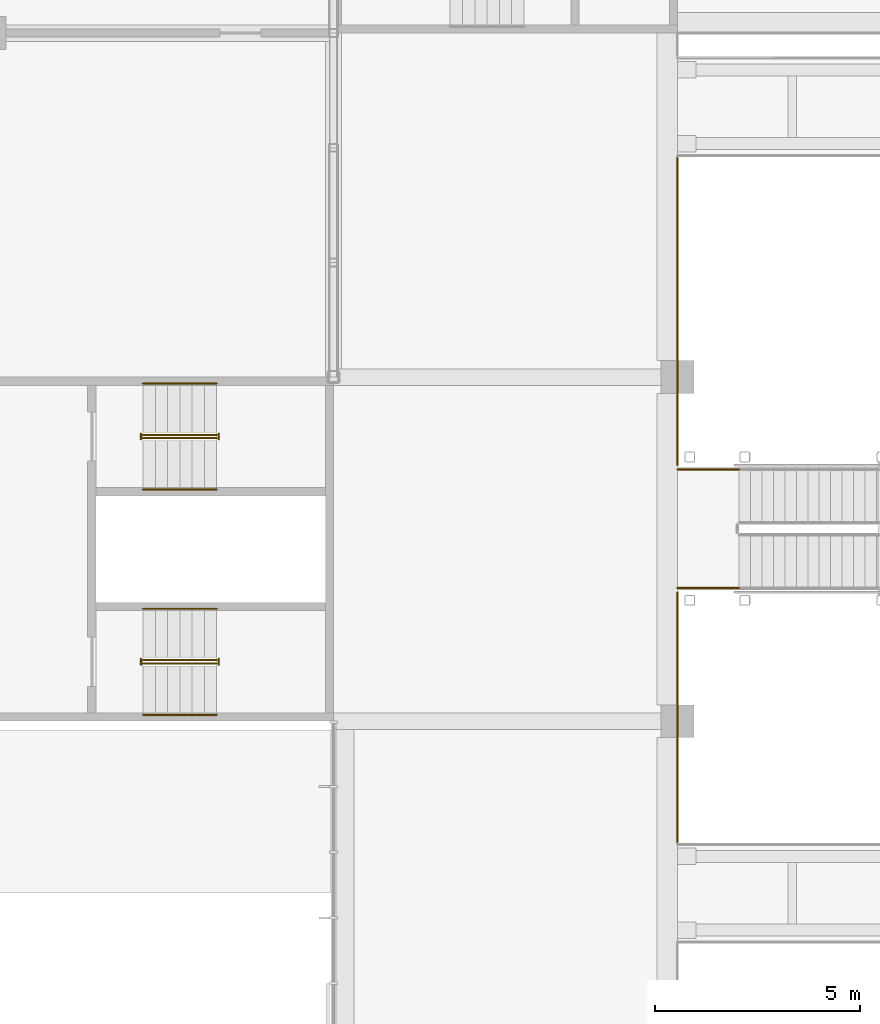
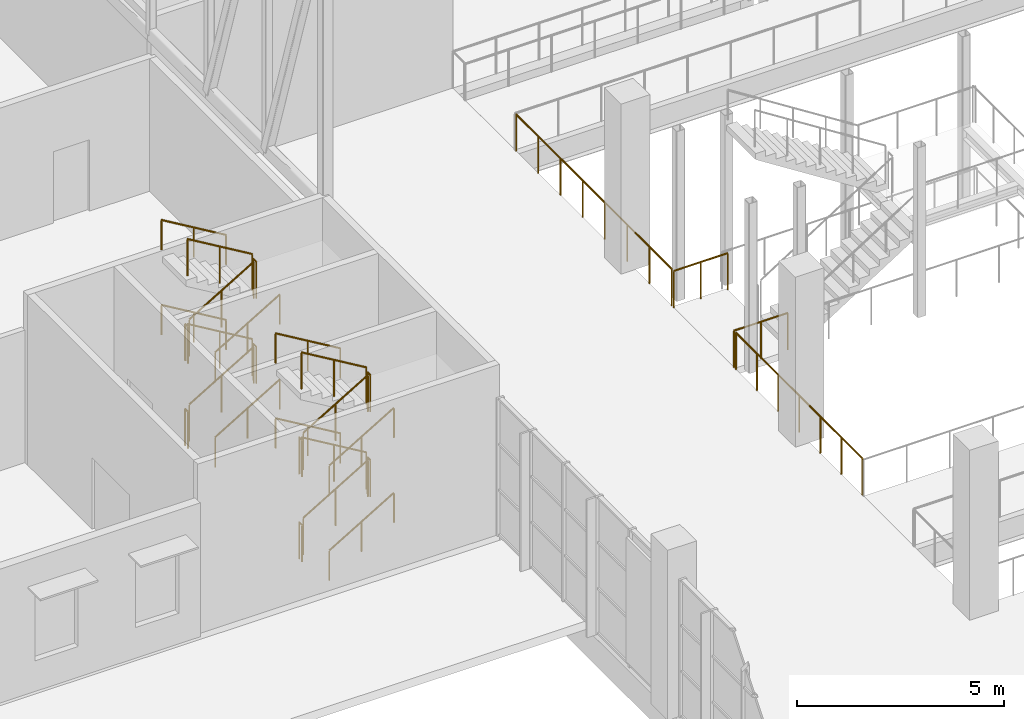
# One storey, part 85 of 101: 28 railings.
"""IFC4 building model written with IfcOpenShell, lengths in metres."""

from ifc_helpers import new_model, si_unit, direction, frame, origin, origin_2d, place, context, subcontext, project, spatial, circle, extrude, material, type_object, element, save


model = new_model("IFC4")

# Units and contexts
model_context = context("Model", 3, precision=1e-05, world=origin(), true_north=direction((0.0, 1.0)))
body_context = subcontext(model_context, "Body", "Model", "MODEL_VIEW")
ifc_project = project(units=[si_unit("LENGTHUNIT", "METRE"), si_unit("AREAUNIT", "SQUARE_METRE"), si_unit("VOLUMEUNIT", "CUBIC_METRE"), si_unit("PLANEANGLEUNIT", "RADIAN"), si_unit("MASSUNIT", "GRAM", prefix="KILO")], contexts=[model_context])

# Site, building, storey
site_placement = place(None, origin())
site = spatial("IfcSite", under=ifc_project, at=site_placement, CompositionType="ELEMENT")
building_placement = place(site_placement, origin())
building = spatial("IfcBuilding", under=site, at=building_placement, Name="Almond Square Museum", CompositionType="ELEMENT")
storey_placement = place(building_placement, frame((0.0, 0.0, 5.5)))
storey = spatial("IfcBuildingStorey", under=building, at=storey_placement, Name="L01", CompositionType="ELEMENT", Elevation=5.5)

# Railings
ifc_material_1 = material(Name="Laminated glass and stainless steel", Category="steel")
railing_type_1 = type_object("IfcRailingType", Name="Atrium guard 1100 glass balustrade", PredefinedType="GUARDRAIL", material=ifc_material_1)
railing_1_placement = place(storey_placement, frame((81.60009765625, 81.050048828125, 0.0)))
element("IfcRailing", 1, at=railing_1_placement, inside=storey, type_object=railing_type_1, Name="L01 atrium guard 2", PredefinedType="GUARDRAIL", context=body_context, shape_type="SweptSolid", body=[
    extrude(circle(Radius=0.02392578125, at=origin_2d()), frame((0.0, 0.0, 1.076171875), z_axis=(0.0, 1.0, 0.0), x_axis=(-1.0, 0.0, 0.0)), (0.0, 0.0, 1.0), 6.099853515625),
    extrude(circle(Radius=0.02099609375, at=origin_2d()), origin(), (0.0, 0.0, 1.0), 1.052001953125),
    extrude(circle(Radius=0.02099609375, at=origin_2d()), frame((0.0, 1.0166015625, 0.0)), (0.0, 0.0, 1.0), 1.052001953125),
    extrude(circle(Radius=0.02099609375, at=origin_2d()), frame((0.0, 2.033203125, 0.0)), (0.0, 0.0, 1.0), 1.052001953125),
    extrude(circle(Radius=0.02099609375, at=origin_2d()), frame((0.0, 3.0498046875, 0.0)), (0.0, 0.0, 1.0), 1.052001953125),
    extrude(circle(Radius=0.02099609375, at=origin_2d()), frame((0.0, 4.066650390625, 0.0)), (0.0, 0.0, 1.0), 1.052001953125),
    extrude(circle(Radius=0.02099609375, at=origin_2d()), frame((0.0, 5.083251953125, 0.0)), (0.0, 0.0, 1.0), 1.052001953125),
    extrude(circle(Radius=0.02099609375, at=origin_2d()), frame((0.0, 6.099853515625, 0.0)), (0.0, 0.0, 1.0), 1.052001953125),
])
railing_2_placement = place(storey_placement, frame((81.60009765625, 90.25, 0.0)))
element("IfcRailing", 2, at=railing_2_placement, inside=storey, type_object=railing_type_1, Name="L01 atrium guard 3", PredefinedType="GUARDRAIL", context=body_context, shape_type="SweptSolid", body=[
    extrude(circle(Radius=0.02392578125, at=origin_2d()), frame((0.0, 0.0, 1.076171875), z_axis=(0.0, 1.0, 0.0), x_axis=(-1.0, 0.0, 0.0)), (0.0, 0.0, 1.0), 7.5),
    extrude(circle(Radius=0.02099609375, at=origin_2d()), origin(), (0.0, 0.0, 1.0), 1.052001953125),
    extrude(circle(Radius=0.02099609375, at=origin_2d()), frame((0.0, 1.071533203125, 0.0)), (0.0, 0.0, 1.0), 1.052001953125),
    extrude(circle(Radius=0.02099609375, at=origin_2d()), frame((0.0, 2.142822265625, 0.0)), (0.0, 0.0, 1.0), 1.052001953125),
    extrude(circle(Radius=0.02099609375, at=origin_2d()), frame((0.0, 3.21435546875, 0.0)), (0.0, 0.0, 1.0), 1.052001953125),
    extrude(circle(Radius=0.02099609375, at=origin_2d()), frame((0.0, 4.28564453125, 0.0)), (0.0, 0.0, 1.0), 1.052001953125),
    extrude(circle(Radius=0.02099609375, at=origin_2d()), frame((0.0, 5.357177734375, 0.0)), (0.0, 0.0, 1.0), 1.052001953125),
    extrude(circle(Radius=0.02099609375, at=origin_2d()), frame((0.0, 6.428466796875, 0.0)), (0.0, 0.0, 1.0), 1.052001953125),
    extrude(circle(Radius=0.02099609375, at=origin_2d()), frame((0.0, 7.5, 0.0)), (0.0, 0.0, 1.0), 1.052001953125),
])
ifc_material_2 = material(Name="Stainless steel and laminated glass", Category="steel")
railing_type_2 = type_object("IfcRailingType", Name="Stair guard 1100 steel and glass", PredefinedType="GUARDRAIL", material=ifc_material_2)
railing_3_placement = place(storey_placement, frame((68.550048828125, 85.409912109375, 0.178466796875)))
element("IfcRailing", 3, at=railing_3_placement, inside=storey, type_object=railing_type_2, Name="L01 ST-19 stair guard 1", PredefinedType="GUARDRAIL", context=body_context, shape_type="SweptSolid", body=[
    extrude(circle(Radius=0.02392578125, at=origin_2d()), frame((0.0, 0.0, 1.076171875), z_axis=(0.859277029364, 0.0, 0.511510495305), x_axis=(0.0, 1.0, 0.0)), (0.0, 0.0, 1.0), 2.0947265625),
    extrude(circle(Radius=0.02099609375, at=origin_2d()), origin(), (0.0, 0.0, 1.0), 1.052001953125),
    extrude(circle(Radius=0.02099609375, at=origin_2d()), frame((0.89990234375, 0.0, 0.53564453125)), (0.0, 0.0, 1.0), 1.052001953125),
    extrude(circle(Radius=0.02099609375, at=origin_2d()), frame((1.800048828125, 0.0, 1.071533203125)), (0.0, 0.0, 1.0), 1.052001953125),
])
railing_4_placement = place(storey_placement, frame((70.39990234375, 85.3798828125, 1.25)))
element("IfcRailing", 4, at=railing_4_placement, inside=storey, type_object=railing_type_2, Name="L01 ST-19 stair guard 2", PredefinedType="GUARDRAIL", context=body_context, shape_type="SweptSolid", body=[
    extrude(circle(Radius=0.02392578125, at=origin_2d()), frame((0.0, 0.0, 1.076171875), z_axis=(0.0, 1.0, 0.0), x_axis=(-1.0, 0.0, 0.0)), (0.0, 0.0, 1.0), 0.14013671875),
    extrude(circle(Radius=0.02099609375, at=origin_2d()), origin(), (0.0, 0.0, 1.0), 1.052001953125),
    extrude(circle(Radius=0.02099609375, at=origin_2d()), frame((0.0, 0.14013671875, 0.0)), (0.0, 0.0, 1.0), 1.052001953125),
])
railing_5_placement = place(storey_placement, frame((70.35009765625, 85.489990234375, 1.428466796875)))
element("IfcRailing", 5, at=railing_5_placement, inside=storey, type_object=railing_type_2, Name="L01 ST-19 stair guard 3", PredefinedType="GUARDRAIL", context=body_context, shape_type="SweptSolid", body=[
    extrude(circle(Radius=0.02392578125, at=origin_2d()), frame((0.0, 0.0, 1.076171875), z_axis=(-0.859277029364, 0.0, 0.511510495305), x_axis=(0.0, -1.0, 0.0)), (0.0, 0.0, 1.0), 2.0947265625),
    extrude(circle(Radius=0.02099609375, at=origin_2d()), origin(), (0.0, 0.0, 1.0), 1.052001953125),
    extrude(circle(Radius=0.02099609375, at=origin_2d()), frame((-0.89990234375, 0.0, 0.53564453125)), (0.0, 0.0, 1.0), 1.052001953125),
    extrude(circle(Radius=0.02099609375, at=origin_2d()), frame((-1.800048828125, 0.0, 1.071533203125)), (0.0, 0.0, 1.0), 1.052001953125),
])
railing_6_placement = place(storey_placement, frame((68.5, 85.3798828125, 2.5)))
element("IfcRailing", 6, at=railing_6_placement, inside=storey, type_object=railing_type_2, Name="L01 ST-19 stair guard 4", PredefinedType="GUARDRAIL", context=body_context, shape_type="SweptSolid", body=[
    extrude(circle(Radius=0.02392578125, at=origin_2d()), frame((0.0, 0.0, 1.076171875), z_axis=(0.0, 1.0, 0.0), x_axis=(-1.0, 0.0, 0.0)), (0.0, 0.0, 1.0), 0.14013671875),
    extrude(circle(Radius=0.02099609375, at=origin_2d()), origin(), (0.0, 0.0, 1.0), 1.052001953125),
    extrude(circle(Radius=0.02099609375, at=origin_2d()), frame((0.0, 0.14013671875, 0.0)), (0.0, 0.0, 1.0), 1.052001953125),
])
railing_7_placement = place(storey_placement, frame((68.550048828125, 85.409912109375, 2.678466796875)))
element("IfcRailing", 7, at=railing_7_placement, inside=storey, type_object=railing_type_2, Name="L01 ST-19 stair guard 5", PredefinedType="GUARDRAIL", context=body_context, shape_type="SweptSolid", body=[
    extrude(circle(Radius=0.02392578125, at=origin_2d()), frame((0.0, 0.0, 1.076171875), z_axis=(0.859277029364, 0.0, 0.511510495305), x_axis=(0.0, 1.0, 0.0)), (0.0, 0.0, 1.0), 2.0947265625),
    extrude(circle(Radius=0.02099609375, at=origin_2d()), origin(), (0.0, 0.0, 1.0), 1.052001953125),
    extrude(circle(Radius=0.02099609375, at=origin_2d()), frame((0.89990234375, 0.0, 0.53564453125)), (0.0, 0.0, 1.0), 1.052001953125),
    extrude(circle(Radius=0.02099609375, at=origin_2d()), frame((1.800048828125, 0.0, 1.071533203125)), (0.0, 0.0, 1.0), 1.052001953125),
])
railing_8_placement = place(storey_placement, frame((70.39990234375, 85.3798828125, 3.75)))
element("IfcRailing", 8, at=railing_8_placement, inside=storey, type_object=railing_type_2, Name="L01 ST-19 stair guard 6", PredefinedType="GUARDRAIL", context=body_context, shape_type="SweptSolid", body=[
    extrude(circle(Radius=0.02392578125, at=origin_2d()), frame((0.0, 0.0, 1.076171875), z_axis=(0.0, 1.0, 0.0), x_axis=(-1.0, 0.0, 0.0)), (0.0, 0.0, 1.0), 0.14013671875),
    extrude(circle(Radius=0.02099609375, at=origin_2d()), origin(), (0.0, 0.0, 1.0), 1.052001953125),
    extrude(circle(Radius=0.02099609375, at=origin_2d()), frame((0.0, 0.14013671875, 0.0)), (0.0, 0.0, 1.0), 1.052001953125),
])
railing_9_placement = place(storey_placement, frame((70.35009765625, 85.489990234375, 3.928466796875)))
element("IfcRailing", 9, at=railing_9_placement, inside=storey, type_object=railing_type_2, Name="L01 ST-19 stair guard 7", PredefinedType="GUARDRAIL", context=body_context, shape_type="SweptSolid", body=[
    extrude(circle(Radius=0.02392578125, at=origin_2d()), frame((0.0, 0.0, 1.076171875), z_axis=(-0.859277029364, 0.0, 0.511510495305), x_axis=(0.0, -1.0, 0.0)), (0.0, 0.0, 1.0), 2.0947265625),
    extrude(circle(Radius=0.02099609375, at=origin_2d()), origin(), (0.0, 0.0, 1.0), 1.052001953125),
    extrude(circle(Radius=0.02099609375, at=origin_2d()), frame((-0.89990234375, 0.0, 0.53564453125)), (0.0, 0.0, 1.0), 1.052001953125),
    extrude(circle(Radius=0.02099609375, at=origin_2d()), frame((-1.800048828125, 0.0, 1.071533203125)), (0.0, 0.0, 1.0), 1.052001953125),
])
railing_10_placement = place(storey_placement, frame((68.5, 85.3798828125, 0.0)))
element("IfcRailing", 10, at=railing_10_placement, inside=storey, type_object=railing_type_2, Name="L01 ST-19 stair guard 8", PredefinedType="GUARDRAIL", context=body_context, shape_type="SweptSolid", body=[
    extrude(circle(Radius=0.02392578125, at=origin_2d()), frame((0.0, 0.0, 1.076171875), z_axis=(0.0, 1.0, 0.0), x_axis=(-1.0, 0.0, 0.0)), (0.0, 0.0, 1.0), 0.14013671875),
    extrude(circle(Radius=0.02099609375, at=origin_2d()), origin(), (0.0, 0.0, 1.0), 1.052001953125),
    extrude(circle(Radius=0.02099609375, at=origin_2d()), frame((0.0, 0.14013671875, 0.0)), (0.0, 0.0, 1.0), 1.052001953125),
])
railing_11_placement = place(storey_placement, frame((68.550048828125, 90.909912109375, 0.178466796875)))
element("IfcRailing", 11, at=railing_11_placement, inside=storey, type_object=railing_type_2, Name="L01 ST-20 stair guard 1", PredefinedType="GUARDRAIL", context=body_context, shape_type="SweptSolid", body=[
    extrude(circle(Radius=0.02392578125, at=origin_2d()), frame((0.0, 0.0, 1.076171875), z_axis=(0.859277029364, 0.0, 0.511510495305), x_axis=(0.0, 1.0, 0.0)), (0.0, 0.0, 1.0), 2.0947265625),
    extrude(circle(Radius=0.02099609375, at=origin_2d()), origin(), (0.0, 0.0, 1.0), 1.052001953125),
    extrude(circle(Radius=0.02099609375, at=origin_2d()), frame((0.89990234375, 0.0, 0.53564453125)), (0.0, 0.0, 1.0), 1.052001953125),
    extrude(circle(Radius=0.02099609375, at=origin_2d()), frame((1.800048828125, 0.0, 1.071533203125)), (0.0, 0.0, 1.0), 1.052001953125),
])
railing_12_placement = place(storey_placement, frame((70.39990234375, 90.8798828125, 1.25)))
element("IfcRailing", 12, at=railing_12_placement, inside=storey, type_object=railing_type_2, Name="L01 ST-20 stair guard 2", PredefinedType="GUARDRAIL", context=body_context, shape_type="SweptSolid", body=[
    extrude(circle(Radius=0.02392578125, at=origin_2d()), frame((0.0, 0.0, 1.076171875), z_axis=(0.0, 1.0, 0.0), x_axis=(-1.0, 0.0, 0.0)), (0.0, 0.0, 1.0), 0.14013671875),
    extrude(circle(Radius=0.02099609375, at=origin_2d()), origin(), (0.0, 0.0, 1.0), 1.052001953125),
    extrude(circle(Radius=0.02099609375, at=origin_2d()), frame((0.0, 0.14013671875, 0.0)), (0.0, 0.0, 1.0), 1.052001953125),
])
railing_13_placement = place(storey_placement, frame((70.35009765625, 90.989990234375, 1.428466796875)))
element("IfcRailing", 13, at=railing_13_placement, inside=storey, type_object=railing_type_2, Name="L01 ST-20 stair guard 3", PredefinedType="GUARDRAIL", context=body_context, shape_type="SweptSolid", body=[
    extrude(circle(Radius=0.02392578125, at=origin_2d()), frame((0.0, 0.0, 1.076171875), z_axis=(-0.859277029364, 0.0, 0.511510495305), x_axis=(0.0, -1.0, 0.0)), (0.0, 0.0, 1.0), 2.0947265625),
    extrude(circle(Radius=0.02099609375, at=origin_2d()), origin(), (0.0, 0.0, 1.0), 1.052001953125),
    extrude(circle(Radius=0.02099609375, at=origin_2d()), frame((-0.89990234375, 0.0, 0.53564453125)), (0.0, 0.0, 1.0), 1.052001953125),
    extrude(circle(Radius=0.02099609375, at=origin_2d()), frame((-1.800048828125, 0.0, 1.071533203125)), (0.0, 0.0, 1.0), 1.052001953125),
])
railing_14_placement = place(storey_placement, frame((68.5, 90.8798828125, 2.5)))
element("IfcRailing", 14, at=railing_14_placement, inside=storey, type_object=railing_type_2, Name="L01 ST-20 stair guard 4", PredefinedType="GUARDRAIL", context=body_context, shape_type="SweptSolid", body=[
    extrude(circle(Radius=0.02392578125, at=origin_2d()), frame((0.0, 0.0, 1.076171875), z_axis=(0.0, 1.0, 0.0), x_axis=(-1.0, 0.0, 0.0)), (0.0, 0.0, 1.0), 0.14013671875),
    extrude(circle(Radius=0.02099609375, at=origin_2d()), origin(), (0.0, 0.0, 1.0), 1.052001953125),
    extrude(circle(Radius=0.02099609375, at=origin_2d()), frame((0.0, 0.14013671875, 0.0)), (0.0, 0.0, 1.0), 1.052001953125),
])
railing_15_placement = place(storey_placement, frame((68.550048828125, 90.909912109375, 2.678466796875)))
element("IfcRailing", 15, at=railing_15_placement, inside=storey, type_object=railing_type_2, Name="L01 ST-20 stair guard 5", PredefinedType="GUARDRAIL", context=body_context, shape_type="SweptSolid", body=[
    extrude(circle(Radius=0.02392578125, at=origin_2d()), frame((0.0, 0.0, 1.076171875), z_axis=(0.859277029364, 0.0, 0.511510495305), x_axis=(0.0, 1.0, 0.0)), (0.0, 0.0, 1.0), 2.0947265625),
    extrude(circle(Radius=0.02099609375, at=origin_2d()), origin(), (0.0, 0.0, 1.0), 1.052001953125),
    extrude(circle(Radius=0.02099609375, at=origin_2d()), frame((0.89990234375, 0.0, 0.53564453125)), (0.0, 0.0, 1.0), 1.052001953125),
    extrude(circle(Radius=0.02099609375, at=origin_2d()), frame((1.800048828125, 0.0, 1.071533203125)), (0.0, 0.0, 1.0), 1.052001953125),
])
railing_16_placement = place(storey_placement, frame((70.39990234375, 90.8798828125, 3.75)))
element("IfcRailing", 16, at=railing_16_placement, inside=storey, type_object=railing_type_2, Name="L01 ST-20 stair guard 6", PredefinedType="GUARDRAIL", context=body_context, shape_type="SweptSolid", body=[
    extrude(circle(Radius=0.02392578125, at=origin_2d()), frame((0.0, 0.0, 1.076171875), z_axis=(0.0, 1.0, 0.0), x_axis=(-1.0, 0.0, 0.0)), (0.0, 0.0, 1.0), 0.14013671875),
    extrude(circle(Radius=0.02099609375, at=origin_2d()), origin(), (0.0, 0.0, 1.0), 1.052001953125),
    extrude(circle(Radius=0.02099609375, at=origin_2d()), frame((0.0, 0.14013671875, 0.0)), (0.0, 0.0, 1.0), 1.052001953125),
])
railing_17_placement = place(storey_placement, frame((70.35009765625, 90.989990234375, 3.928466796875)))
element("IfcRailing", 17, at=railing_17_placement, inside=storey, type_object=railing_type_2, Name="L01 ST-20 stair guard 7", PredefinedType="GUARDRAIL", context=body_context, shape_type="SweptSolid", body=[
    extrude(circle(Radius=0.02392578125, at=origin_2d()), frame((0.0, 0.0, 1.076171875), z_axis=(-0.859277029364, 0.0, 0.511510495305), x_axis=(0.0, -1.0, 0.0)), (0.0, 0.0, 1.0), 2.0947265625),
    extrude(circle(Radius=0.02099609375, at=origin_2d()), origin(), (0.0, 0.0, 1.0), 1.052001953125),
    extrude(circle(Radius=0.02099609375, at=origin_2d()), frame((-0.89990234375, 0.0, 0.53564453125)), (0.0, 0.0, 1.0), 1.052001953125),
    extrude(circle(Radius=0.02099609375, at=origin_2d()), frame((-1.800048828125, 0.0, 1.071533203125)), (0.0, 0.0, 1.0), 1.052001953125),
])
railing_18_placement = place(storey_placement, frame((68.5, 90.8798828125, 0.0)))
element("IfcRailing", 18, at=railing_18_placement, inside=storey, type_object=railing_type_2, Name="L01 ST-20 stair guard 8", PredefinedType="GUARDRAIL", context=body_context, shape_type="SweptSolid", body=[
    extrude(circle(Radius=0.02392578125, at=origin_2d()), frame((0.0, 0.0, 1.076171875), z_axis=(0.0, 1.0, 0.0), x_axis=(-1.0, 0.0, 0.0)), (0.0, 0.0, 1.0), 0.14013671875),
    extrude(circle(Radius=0.02099609375, at=origin_2d()), origin(), (0.0, 0.0, 1.0), 1.052001953125),
    extrude(circle(Radius=0.02099609375, at=origin_2d()), frame((0.0, 0.14013671875, 0.0)), (0.0, 0.0, 1.0), 1.052001953125),
])
for number, where, name in (
    (19, (81.60009765625, 87.25, 0.0), "L01 ST-F stair guard 8"),
    (20, (81.60009765625, 90.14990234375, 0.0), "L01 ST-F stair guard 9"),
):
    element("IfcRailing", number, at=place(storey_placement, frame(where)), inside=storey, type_object=railing_type_2, Name=name, PredefinedType="GUARDRAIL", context=body_context, shape_type="SweptSolid", body=[
        extrude(circle(Radius=0.02392578125, at=origin_2d()), frame((0.0, 0.0, 1.076171875), z_axis=(1.0, 0.0, 0.0), x_axis=(0.0, 1.0, 0.0)), (0.0, 0.0, 1.0), 1.5),
        extrude(circle(Radius=0.02099609375, at=origin_2d()), origin(), (0.0, 0.0, 1.0), 1.052001953125),
        extrude(circle(Radius=0.02099609375, at=origin_2d()), frame((0.75, 0.0, 0.0)), (0.0, 0.0, 1.0), 1.052001953125),
        extrude(circle(Radius=0.02099609375, at=origin_2d()), frame((1.5, 0.0, 0.0)), (0.0, 0.0, 1.0), 1.052001953125),
    ])
ifc_material_3 = material(Name="Stainless steel", Category="steel")
railing_type_3 = type_object("IfcRailingType", Name="Stair handrail 900 steel", PredefinedType="HANDRAIL", material=ifc_material_3)
railing_19_placement = place(storey_placement, frame((68.550048828125, 84.155029296875, 0.178466796875)))
element("IfcRailing", 21, at=railing_19_placement, inside=storey, type_object=railing_type_3, Name="L01 ST-19 stair handrail 1", PredefinedType="HANDRAIL", context=body_context, shape_type="SweptSolid", body=[
    extrude(circle(Radius=0.02392578125, at=origin_2d()), frame((0.0, 0.0, 0.8759765625), z_axis=(0.859277029364, 0.0, 0.511510495305), x_axis=(0.0, 1.0, 0.0)), (0.0, 0.0, 1.0), 2.0947265625),
    extrude(circle(Radius=0.02099609375, at=origin_2d()), origin(), (0.0, 0.0, 1.0), 0.851806640625),
    extrude(circle(Radius=0.02099609375, at=origin_2d()), frame((0.89990234375, 0.0, 0.53564453125)), (0.0, 0.0, 1.0), 0.851806640625),
    extrude(circle(Radius=0.02099609375, at=origin_2d()), frame((1.800048828125, 0.0, 1.071533203125)), (0.0, 0.0, 1.0), 0.851806640625),
])
railing_20_placement = place(storey_placement, frame((70.35009765625, 86.7451171875, 1.428466796875)))
element("IfcRailing", 22, at=railing_20_placement, inside=storey, type_object=railing_type_3, Name="L01 ST-19 stair handrail 2", PredefinedType="HANDRAIL", context=body_context, shape_type="SweptSolid", body=[
    extrude(circle(Radius=0.02392578125, at=origin_2d()), frame((0.0, 0.0, 0.8759765625), z_axis=(-0.859277029364, 0.0, 0.511510495305), x_axis=(0.0, -1.0, 0.0)), (0.0, 0.0, 1.0), 2.0947265625),
    extrude(circle(Radius=0.02099609375, at=origin_2d()), origin(), (0.0, 0.0, 1.0), 0.851806640625),
    extrude(circle(Radius=0.02099609375, at=origin_2d()), frame((-0.89990234375, 0.0, 0.53564453125)), (0.0, 0.0, 1.0), 0.851806640625),
    extrude(circle(Radius=0.02099609375, at=origin_2d()), frame((-1.800048828125, 0.0, 1.071533203125)), (0.0, 0.0, 1.0), 0.851806640625),
])
railing_21_placement = place(storey_placement, frame((68.550048828125, 84.155029296875, 2.678466796875)))
element("IfcRailing", 23, at=railing_21_placement, inside=storey, type_object=railing_type_3, Name="L01 ST-19 stair handrail 3", PredefinedType="HANDRAIL", context=body_context, shape_type="SweptSolid", body=[
    extrude(circle(Radius=0.02392578125, at=origin_2d()), frame((0.0, 0.0, 0.8759765625), z_axis=(0.859277029364, 0.0, 0.511510495305), x_axis=(0.0, 1.0, 0.0)), (0.0, 0.0, 1.0), 2.0947265625),
    extrude(circle(Radius=0.02099609375, at=origin_2d()), origin(), (0.0, 0.0, 1.0), 0.851806640625),
    extrude(circle(Radius=0.02099609375, at=origin_2d()), frame((0.89990234375, 0.0, 0.53564453125)), (0.0, 0.0, 1.0), 0.851806640625),
    extrude(circle(Radius=0.02099609375, at=origin_2d()), frame((1.800048828125, 0.0, 1.071533203125)), (0.0, 0.0, 1.0), 0.851806640625),
])
railing_22_placement = place(storey_placement, frame((70.35009765625, 86.7451171875, 3.928466796875)))
element("IfcRailing", 24, at=railing_22_placement, inside=storey, type_object=railing_type_3, Name="L01 ST-19 stair handrail 4", PredefinedType="HANDRAIL", context=body_context, shape_type="SweptSolid", body=[
    extrude(circle(Radius=0.02392578125, at=origin_2d()), frame((0.0, 0.0, 0.8759765625), z_axis=(-0.859277029364, 0.0, 0.511510495305), x_axis=(0.0, -1.0, 0.0)), (0.0, 0.0, 1.0), 2.0947265625),
    extrude(circle(Radius=0.02099609375, at=origin_2d()), origin(), (0.0, 0.0, 1.0), 0.851806640625),
    extrude(circle(Radius=0.02099609375, at=origin_2d()), frame((-0.89990234375, 0.0, 0.53564453125)), (0.0, 0.0, 1.0), 0.851806640625),
    extrude(circle(Radius=0.02099609375, at=origin_2d()), frame((-1.800048828125, 0.0, 1.071533203125)), (0.0, 0.0, 1.0), 0.851806640625),
])
railing_23_placement = place(storey_placement, frame((68.550048828125, 89.655029296875, 0.178466796875)))
element("IfcRailing", 25, at=railing_23_placement, inside=storey, type_object=railing_type_3, Name="L01 ST-20 stair handrail 1", PredefinedType="HANDRAIL", context=body_context, shape_type="SweptSolid", body=[
    extrude(circle(Radius=0.02392578125, at=origin_2d()), frame((0.0, 0.0, 0.8759765625), z_axis=(0.859277029364, 0.0, 0.511510495305), x_axis=(0.0, 1.0, 0.0)), (0.0, 0.0, 1.0), 2.0947265625),
    extrude(circle(Radius=0.02099609375, at=origin_2d()), origin(), (0.0, 0.0, 1.0), 0.851806640625),
    extrude(circle(Radius=0.02099609375, at=origin_2d()), frame((0.89990234375, 0.0, 0.53564453125)), (0.0, 0.0, 1.0), 0.851806640625),
    extrude(circle(Radius=0.02099609375, at=origin_2d()), frame((1.800048828125, 0.0, 1.071533203125)), (0.0, 0.0, 1.0), 0.851806640625),
])
railing_24_placement = place(storey_placement, frame((70.35009765625, 92.2451171875, 1.428466796875)))
element("IfcRailing", 26, at=railing_24_placement, inside=storey, type_object=railing_type_3, Name="L01 ST-20 stair handrail 2", PredefinedType="HANDRAIL", context=body_context, shape_type="SweptSolid", body=[
    extrude(circle(Radius=0.02392578125, at=origin_2d()), frame((0.0, 0.0, 0.8759765625), z_axis=(-0.859277029364, 0.0, 0.511510495305), x_axis=(0.0, -1.0, 0.0)), (0.0, 0.0, 1.0), 2.0947265625),
    extrude(circle(Radius=0.02099609375, at=origin_2d()), origin(), (0.0, 0.0, 1.0), 0.851806640625),
    extrude(circle(Radius=0.02099609375, at=origin_2d()), frame((-0.89990234375, 0.0, 0.53564453125)), (0.0, 0.0, 1.0), 0.851806640625),
    extrude(circle(Radius=0.02099609375, at=origin_2d()), frame((-1.800048828125, 0.0, 1.071533203125)), (0.0, 0.0, 1.0), 0.851806640625),
])
railing_25_placement = place(storey_placement, frame((68.550048828125, 89.655029296875, 2.678466796875)))
element("IfcRailing", 27, at=railing_25_placement, inside=storey, type_object=railing_type_3, Name="L01 ST-20 stair handrail 3", PredefinedType="HANDRAIL", context=body_context, shape_type="SweptSolid", body=[
    extrude(circle(Radius=0.02392578125, at=origin_2d()), frame((0.0, 0.0, 0.8759765625), z_axis=(0.859277029364, 0.0, 0.511510495305), x_axis=(0.0, 1.0, 0.0)), (0.0, 0.0, 1.0), 2.0947265625),
    extrude(circle(Radius=0.02099609375, at=origin_2d()), origin(), (0.0, 0.0, 1.0), 0.851806640625),
    extrude(circle(Radius=0.02099609375, at=origin_2d()), frame((0.89990234375, 0.0, 0.53564453125)), (0.0, 0.0, 1.0), 0.851806640625),
    extrude(circle(Radius=0.02099609375, at=origin_2d()), frame((1.800048828125, 0.0, 1.071533203125)), (0.0, 0.0, 1.0), 0.851806640625),
])
railing_26_placement = place(storey_placement, frame((70.35009765625, 92.2451171875, 3.928466796875)))
element("IfcRailing", 28, at=railing_26_placement, inside=storey, type_object=railing_type_3, Name="L01 ST-20 stair handrail 4", PredefinedType="HANDRAIL", context=body_context, shape_type="SweptSolid", body=[
    extrude(circle(Radius=0.02392578125, at=origin_2d()), frame((0.0, 0.0, 0.8759765625), z_axis=(-0.859277029364, 0.0, 0.511510495305), x_axis=(0.0, -1.0, 0.0)), (0.0, 0.0, 1.0), 2.0947265625),
    extrude(circle(Radius=0.02099609375, at=origin_2d()), origin(), (0.0, 0.0, 1.0), 0.851806640625),
    extrude(circle(Radius=0.02099609375, at=origin_2d()), frame((-0.89990234375, 0.0, 0.53564453125)), (0.0, 0.0, 1.0), 0.851806640625),
    extrude(circle(Radius=0.02099609375, at=origin_2d()), frame((-1.800048828125, 0.0, 1.071533203125)), (0.0, 0.0, 1.0), 0.851806640625),
])

save(model, "model.ifc")
